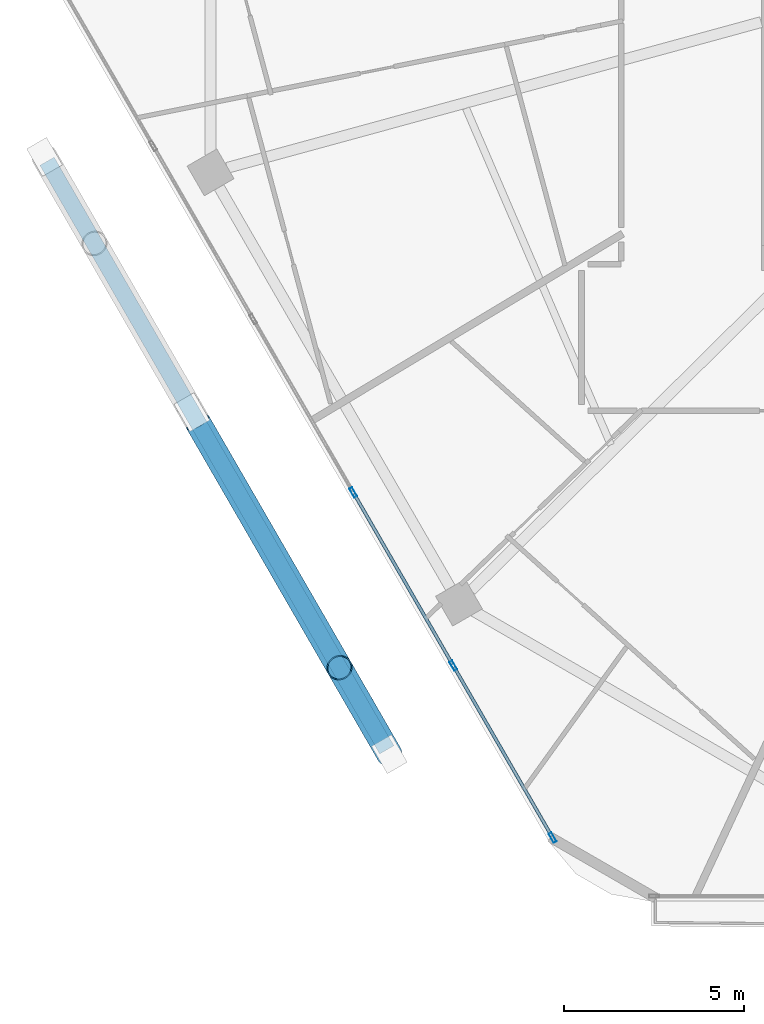
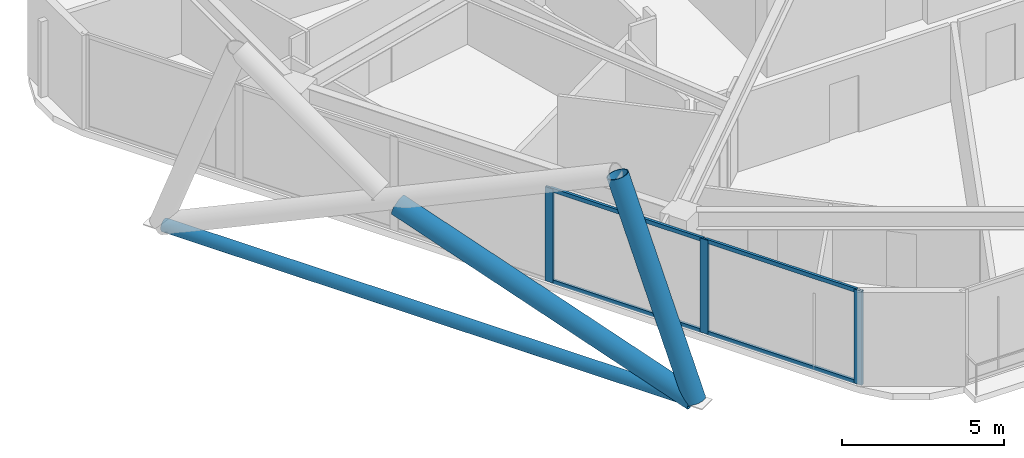
# One storey, part 2 of 28: 10 members, 1 element without a shape of its own.
"""IFC4 building model written with IfcOpenShell, lengths in metres."""

from ifc_helpers import new_model, si_unit, direction, frame, origin, origin_2d, place, context, subcontext, project, spatial, hollow_rectangle, hollow_circle, extrude, material, material_profile, profile_set, type_object, element, aggregate, save


model = new_model("IFC4")

# Units and contexts
model_context = context("Model", 3, precision=1e-05, world=origin(), true_north=direction((0.0, 1.0)))
body_context = subcontext(model_context, "Body", "Model", "MODEL_VIEW")
ifc_project = project(units=[si_unit("LENGTHUNIT", "METRE"), si_unit("AREAUNIT", "SQUARE_METRE"), si_unit("VOLUMEUNIT", "CUBIC_METRE"), si_unit("PLANEANGLEUNIT", "RADIAN"), si_unit("MASSUNIT", "GRAM", prefix="KILO")], contexts=[model_context])

# Site, building, storey
site_placement = place(None, origin())
site = spatial("IfcSite", under=ifc_project, at=site_placement, CompositionType="ELEMENT")
building_placement = place(site_placement, origin())
building = spatial("IfcBuilding", under=site, at=building_placement, Name="Zuhravey Tower", CompositionType="ELEMENT")
storey_placement = place(building_placement, frame((0.0, 0.0, 207.39990234375)))
storey = spatial("IfcBuildingStorey", under=building, at=storey_placement, Name="L52", CompositionType="ELEMENT", Elevation=207.39990234375)

# Curtain wall, members
ifc_material_1 = material(Name="Thermally broken anodised aluminium", Category="aluminium")
curtain_wall_type = type_object("IfcCurtainWallType", Name="Zone 1-2 Residential Curtain Wall CW3", PredefinedType="NOTDEFINED", material=ifc_material_1)
curtain_wall_placement = place(storey_placement, origin())
curtain_wall = element("IfcCurtainWall", 1, at=curtain_wall_placement, inside=storey, type_object=curtain_wall_type, Name="L52 CW3 CW-L52-F4-1", PredefinedType="NOTDEFINED")
ifc_material_2 = material(Name="Anodised aluminium", Category="aluminium")
ifc_material_profile_1 = material_profile(ifc_material_2, hollow_rectangle(XDim=0.090087890625, YDim=0.284912109375, WallThickness=0.0048828125, at=origin_2d()), Name="ALU-RHS-90x285x5")
ifc_profile_set_1 = profile_set([ifc_material_profile_1], Name="Anodised aluminium")
member_type_1 = type_object("IfcMemberType", Name="Curtain-Wall Mullion 90x180", PredefinedType="MULLION", material=ifc_profile_set_1)
member_1_placement = place(storey_placement, frame((19.36669921875, 6.443359375, 0.0), z_axis=(0.0, 0.0, 1.0), x_axis=(-0.866025138215, -0.500000459979, 0.0)))
member_1 = element("IfcMember", 2, at=member_1_placement, type_object=member_type_1, Name="CW3 mullion 1", PredefinedType="MULLION", context=body_context, shape_type="SweptSolid", body=[
    extrude(hollow_rectangle(XDim=0.090087890625, YDim=0.284912109375, WallThickness=0.0048828125, at=origin_2d()), origin(), (0.0, 0.0, 1.0), 3.550048828125),
])
member_2_placement = place(storey_placement, frame((16.6171875, 11.2060546875, 0.0), z_axis=(0.0, 0.0, 1.0), x_axis=(-0.866025138215, -0.500000459979, 0.0)))
member_2 = element("IfcMember", 3, at=member_2_placement, type_object=member_type_1, Name="CW3 mullion 2", PredefinedType="MULLION", context=body_context, shape_type="SweptSolid", body=[
    extrude(hollow_rectangle(XDim=0.090087890625, YDim=0.284912109375, WallThickness=0.0048828125, at=origin_2d()), origin(), (0.0, 0.0, 1.0), 3.550048828125),
])
member_3_placement = place(storey_placement, frame((13.844970703125, 16.007568359375, 0.0), z_axis=(0.0, 0.0, 1.0), x_axis=(-0.866025138215, -0.500000459979, 0.0)))
member_3 = element("IfcMember", 4, at=member_3_placement, type_object=member_type_1, Name="CW3 mullion 3", PredefinedType="MULLION", context=body_context, shape_type="SweptSolid", body=[
    extrude(hollow_rectangle(XDim=0.090087890625, YDim=0.284912109375, WallThickness=0.0048828125, at=origin_2d()), origin(), (0.0, 0.0, 1.0), 3.550048828125),
])
ifc_material_profile_2 = material_profile(ifc_material_2, hollow_rectangle(XDim=0.090087890625, YDim=0.14990234375, WallThickness=0.0048828125, at=origin_2d()), Name="ALU-RHS-90x150x5")
ifc_profile_set_2 = profile_set([ifc_material_profile_2], Name="Anodised aluminium")
member_type_2 = type_object("IfcMemberType", Name="Curtain-Wall Transom 90x150", PredefinedType="USERDEFINED", material=ifc_profile_set_2)
member_4_placement = place(storey_placement, frame((19.34423828125, 6.482421875, 0.045166015625), z_axis=(-0.499993332629, 0.866029253159, 0.0), x_axis=(-0.866029253159, -0.499993332629, 0.0)))
member_4 = element("IfcMember", 5, at=member_4_placement, type_object=member_type_2, Name="CW3 transom 1.1", ObjectType="TRANSOM", PredefinedType="USERDEFINED", context=body_context, shape_type="SweptSolid", body=[
    extrude(hollow_rectangle(XDim=0.090087890625, YDim=0.14990234375, WallThickness=0.0048828125, at=origin_2d()), origin(), (0.0, 0.0, 1.0), 5.4091796875),
])
member_5_placement = place(storey_placement, frame((19.34423828125, 6.482421875, 3.505126953125), z_axis=(-0.499993332629, 0.866029253159, 0.0), x_axis=(-0.866029253159, -0.499993332629, 0.0)))
member_5 = element("IfcMember", 6, at=member_5_placement, type_object=member_type_2, Name="CW3 transom 1.2", ObjectType="TRANSOM", PredefinedType="USERDEFINED", context=body_context, shape_type="SweptSolid", body=[
    extrude(hollow_rectangle(XDim=0.090087890625, YDim=0.14990234375, WallThickness=0.0048828125, at=origin_2d()), origin(), (0.0, 0.0, 1.0), 5.4091796875),
])
member_6_placement = place(storey_placement, frame((16.594482421875, 11.244873046875, 0.045166015625), z_axis=(-0.49996138257, 0.86604769842, 0.0), x_axis=(-0.86604769842, -0.49996138257, 0.0)))
member_6 = element("IfcMember", 7, at=member_6_placement, type_object=member_type_2, Name="CW3 transom 2.1", ObjectType="TRANSOM", PredefinedType="USERDEFINED", context=body_context, shape_type="SweptSolid", body=[
    extrude(hollow_rectangle(XDim=0.090087890625, YDim=0.14990234375, WallThickness=0.0048828125, at=origin_2d()), origin(), (0.0, 0.0, 1.0), 5.45458984375),
])
member_7_placement = place(storey_placement, frame((16.594482421875, 11.244873046875, 3.505126953125), z_axis=(-0.49996138257, 0.86604769842, 0.0), x_axis=(-0.86604769842, -0.49996138257, 0.0)))
member_7 = element("IfcMember", 8, at=member_7_placement, type_object=member_type_2, Name="CW3 transom 2.2", ObjectType="TRANSOM", PredefinedType="USERDEFINED", context=body_context, shape_type="SweptSolid", body=[
    extrude(hollow_rectangle(XDim=0.090087890625, YDim=0.14990234375, WallThickness=0.0048828125, at=origin_2d()), origin(), (0.0, 0.0, 1.0), 5.45458984375),
])
aggregate(curtain_wall, [member_1, member_2, member_3, member_4, member_5, member_6, member_7])

# Members
ifc_material_3 = material(Name="Steel SM355", Category="steel")
ifc_material_profile_3 = material_profile(ifc_material_3, hollow_circle(Radius=0.228515625, WallThickness=0.02197265625, at=origin_2d()), Name="CHS-457.2x22")
ifc_profile_set_3 = profile_set([ifc_material_profile_3], Name="Steel SM355")
member_type_3 = type_object("IfcMemberType", Name="Exoskeleton Ring Tie CHS457x22", PredefinedType="CHORD", material=ifc_profile_set_3)
member_8_placement = place(storey_placement, frame((5.361083984375, 25.18212890625, -0.4638671875), z_axis=(0.499989194203, -0.866031642424, 0.0), x_axis=(0.866031642424, 0.499989194203, 0.0)))
element("IfcMember", 9, at=member_8_placement, inside=storey, type_object=member_type_3, Name="L52 Exoskeleton Face 4 Tie EXR1", PredefinedType="CHORD", context=body_context, shape_type="SweptSolid", body=[
    extrude(hollow_circle(Radius=0.228515625, WallThickness=0.02197265625, at=origin_2d()), origin(), (0.0, 0.0, 1.0), 18.830078125),
])
ifc_material_4 = material(Name="Steel SM460", Category="steel")
ifc_material_profile_4 = material_profile(ifc_material_4, hollow_circle(Radius=0.355712890625, WallThickness=0.031982421875, at=origin_2d()), Name="CHS-711.2x32")
ifc_profile_set_4 = profile_set([ifc_material_profile_4], Name="Steel SM460")
member_type_4 = type_object("IfcMemberType", Name="Exoskeleton Zone 2 Diagrid CHS711x32", PredefinedType="BRACE", material=ifc_profile_set_4)
member_9_placement = place(storey_placement, frame((14.84228515625, 8.760009765625, -0.44384765625), z_axis=(-0.171428917165, 0.296929081792, 0.939385568734), x_axis=(-0.866029404905, -0.499993069792, 0.0)))
element("IfcMember", 10, at=member_9_placement, inside=storey, type_object=member_type_4, Name="L52 Face 4 Diagrid Brace 4", PredefinedType="BRACE", context=body_context, shape_type="SweptSolid", body=[
    extrude(hollow_circle(Radius=0.355712890625, WallThickness=0.031982421875, at=origin_2d()), origin(), (0.0, 0.0, 1.0), 8.0478515625),
])
member_10_placement = place(storey_placement, frame((14.82373046875, 8.79248046875, -0.4482421875), z_axis=(-0.472348530884, 0.818090201503, 0.32804769101), x_axis=(-0.866014433275, -0.500019000998, 0.0)))
element("IfcMember", 11, at=member_10_placement, inside=storey, type_object=member_type_4, Name="L52 Face 4 Split Diagrid Brace 3A", PredefinedType="BRACE", context=body_context, shape_type="SweptSolid", body=[
    extrude(hollow_circle(Radius=0.355712890625, WallThickness=0.031982421875, at=origin_2d()), origin(), (0.0, 0.0, 1.0), 11.190185546875),
])

save(model, "model.ifc")
